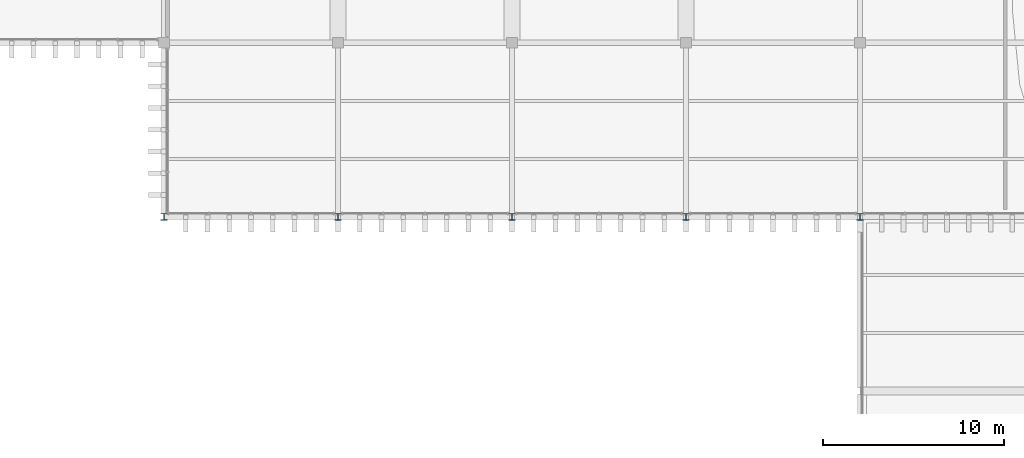
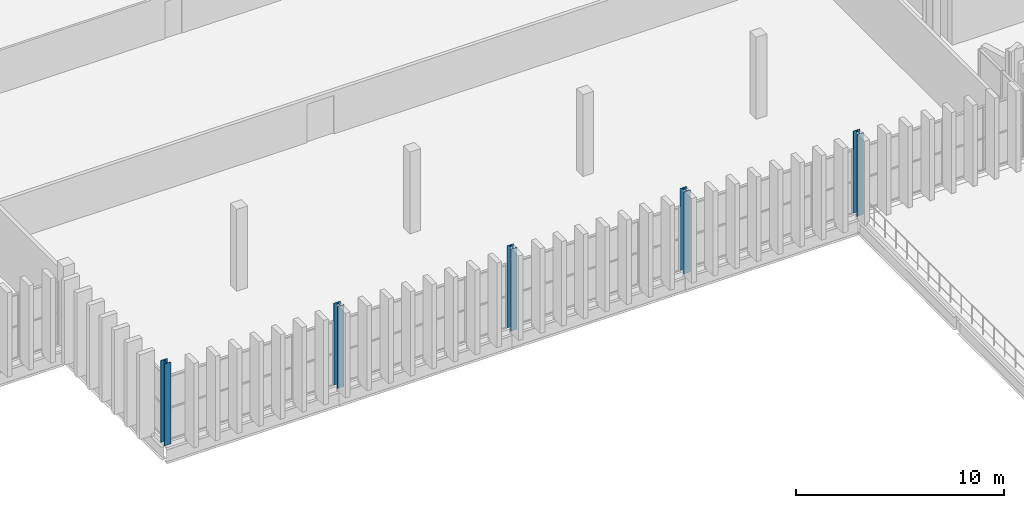
# One storey, part 1 of 99: 5 columns.
"""IFC4 building model written with IfcOpenShell, lengths in metres."""

from ifc_helpers import new_model, si_unit, direction, frame, origin, origin_2d, place, context, subcontext, project, spatial, i_section, extrude, material, material_profile, profile_set, type_object, element, save


model = new_model("IFC4")

# Units and contexts
model_context = context("Model", 3, precision=1e-05, world=origin(), true_north=direction((0.0, 1.0)))
body_context = subcontext(model_context, "Body", "Model", "MODEL_VIEW")
ifc_project = project(units=[si_unit("LENGTHUNIT", "METRE"), si_unit("AREAUNIT", "SQUARE_METRE"), si_unit("VOLUMEUNIT", "CUBIC_METRE"), si_unit("PLANEANGLEUNIT", "RADIAN"), si_unit("MASSUNIT", "GRAM", prefix="KILO")], contexts=[model_context])

# Site, building, storey
site_placement = place(None, origin())
site = spatial("IfcSite", under=ifc_project, at=site_placement, CompositionType="ELEMENT")
building_placement = place(site_placement, origin())
building = spatial("IfcBuilding", under=site, at=building_placement, Name="Caelomonte Colonnade Arena", CompositionType="ELEMENT")
storey_placement = place(building_placement, frame((0.0, 0.0, 4.800048828125)))
storey = spatial("IfcBuildingStorey", under=building, at=storey_placement, Name="L01", CompositionType="ELEMENT", Elevation=4.800048828125)

# Columns
ifc_material = material(Name="Wide-flange steel ASTM A992 Grade 50", Category="steel")
ifc_material_profile = material_profile(ifc_material, i_section(OverallWidth=0.368896484375, OverallDepth=0.356201171875, WebThickness=0.01123046875, FlangeThickness=0.01806640625, FilletRadius=0.01513671875, at=origin_2d()), Name="W14X90")
ifc_profile_set = profile_set([ifc_material_profile], Name="Wide-flange steel ASTM A992 Grade 50")
column_type = type_object("IfcColumnType", Name="STR-COL-W14B", PredefinedType="COLUMN", material=ifc_profile_set)
for number, where, z_axis, x_axis, name in (
    (1, (9.60009765625, 28.800048828125, 0.0), (0.0, 0.0, 1.0), (1.0, 0.0, 0.0), "L01 column (9.6, 28.8)"),
    (2, (19.199951171875, 28.800048828125, 0.0), (0.0, 0.0, 1.0), (1.0, 0.0, 0.0), "L01 column (19.2, 28.8)"),
    (3, (28.800048828125, 28.800048828125, 0.0), (0.0, 0.0, 1.0), (1.0, 0.0, 0.0), "L01 column (28.8, 28.8)"),
    (4, (38.39990234375, 28.800048828125, 0.0), (0.0, 0.0, 1.0), (1.0, 0.0, 0.0), "L01 column (38.4, 28.8)"),
    (5, (48.0, 28.800048828125, 0.0), (0.0, 0.0, 1.0), (1.0, 0.0, 0.0), "L01 column (48.0, 28.8)"),
):
    element("IfcColumn", number, at=place(storey_placement, frame(where, z_axis=z_axis, x_axis=x_axis)), inside=storey, type_object=column_type, Name=name, PredefinedType="COLUMN", context=body_context, shape_type="SweptSolid", body=[
        extrude(i_section(OverallWidth=0.368896484375, OverallDepth=0.356201171875, WebThickness=0.01123046875, FlangeThickness=0.01806640625, FilletRadius=0.01513671875, at=origin_2d()), origin(), (0.0, 0.0, 1.0), 4.800048828125),
    ])

save(model, "model.ifc")
